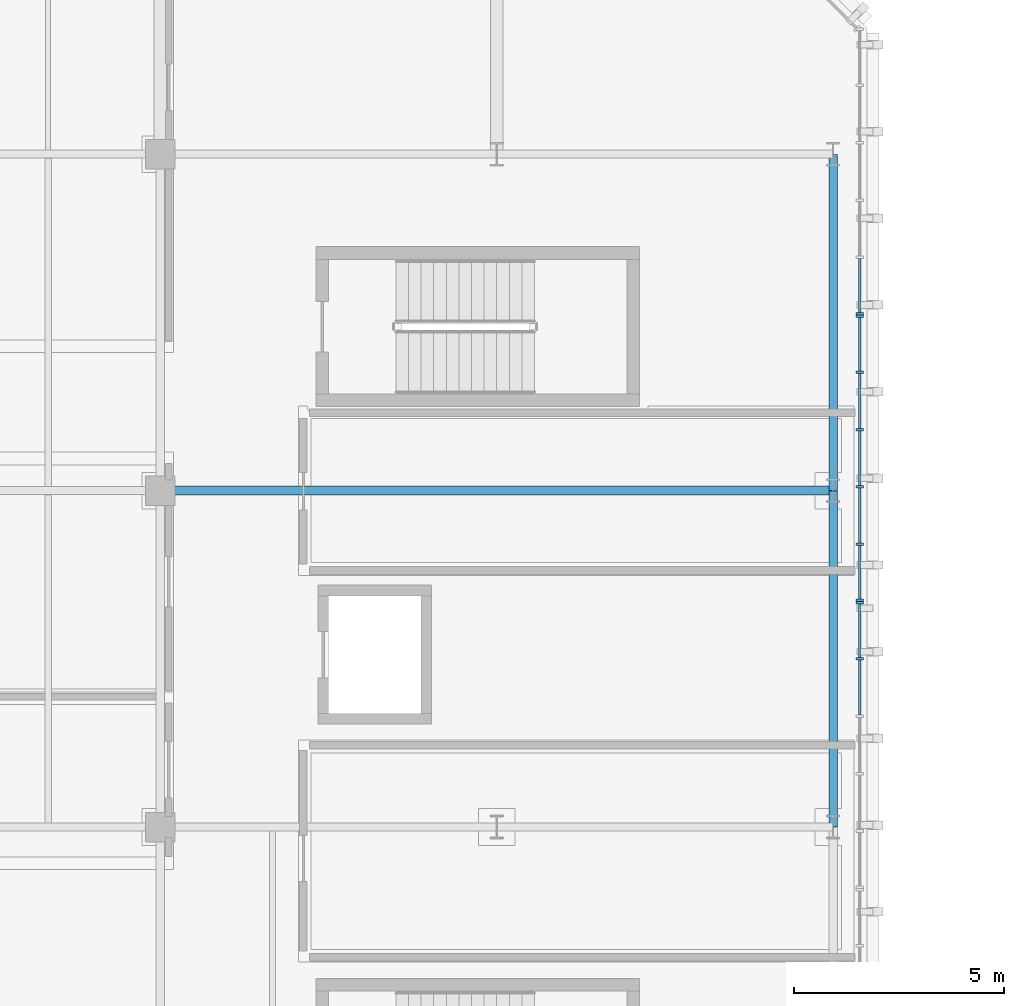
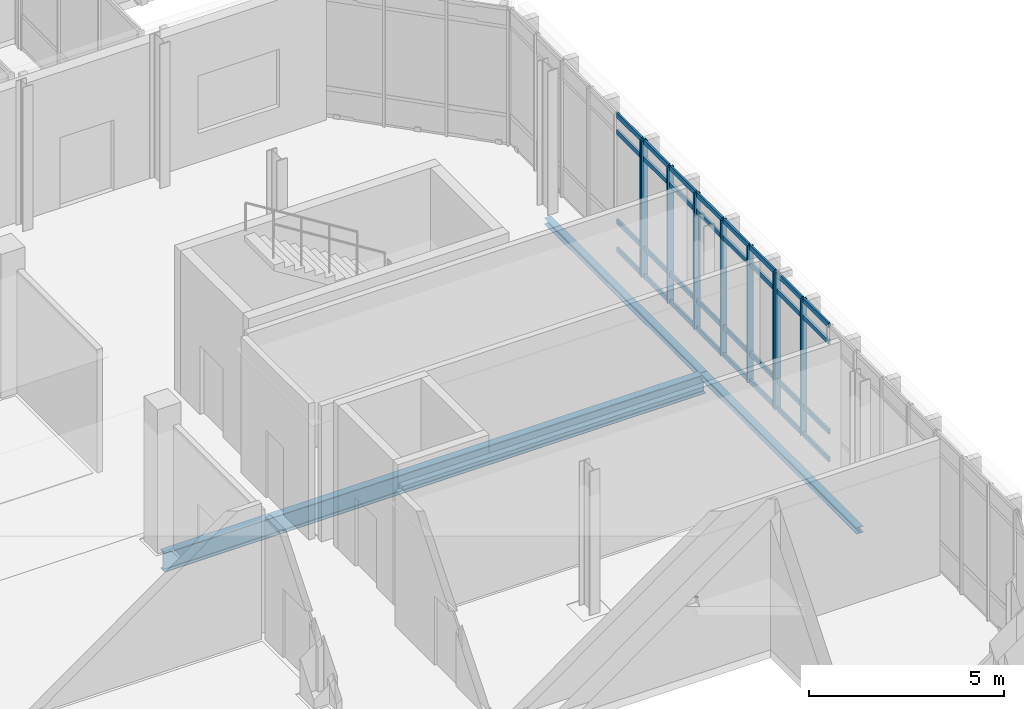
# One storey, part 24 of 100: 41 members, 3 beams, 3 elements without a shape of their own.
"""IFC4 building model written with IfcOpenShell, lengths in metres."""

from ifc_helpers import new_model, si_unit, direction, frame, origin, origin_2d, place, context, subcontext, project, spatial, rectangle, i_section, extrude, material, material_profile, profile_set, type_object, element, aggregate, save


model = new_model("IFC4")

# Units and contexts
model_context = context("Model", 3, precision=1e-05, world=origin(), true_north=direction((0.0, 1.0)))
body_context = subcontext(model_context, "Body", "Model", "MODEL_VIEW")
ifc_project = project(units=[si_unit("LENGTHUNIT", "METRE"), si_unit("AREAUNIT", "SQUARE_METRE"), si_unit("VOLUMEUNIT", "CUBIC_METRE"), si_unit("PLANEANGLEUNIT", "RADIAN"), si_unit("MASSUNIT", "GRAM", prefix="KILO")], contexts=[model_context])

# Site, building, storey
site_placement = place(None, origin())
site = spatial("IfcSite", under=ifc_project, at=site_placement, CompositionType="ELEMENT")
building_placement = place(site_placement, origin())
building = spatial("IfcBuilding", under=site, at=building_placement, Name="Cymarion Research Institute", CompositionType="ELEMENT")
storey_placement = place(building_placement, frame((0.0, 0.0, 4.800048828125)))
storey = spatial("IfcBuildingStorey", under=building, at=storey_placement, Name="L01", CompositionType="ELEMENT", Elevation=4.800048828125)

# Curtain wall, members
ifc_material_1 = material(Name="Anodised aluminium unitised curtain wall with Low-E glazing", Category="aluminium")
curtain_wall_type = type_object("IfcCurtainWallType", Name="UNITISED CURTAIN WALL CW20 6820X4250", PredefinedType="NOTDEFINED", material=ifc_material_1)
curtain_wall_1_placement = place(storey_placement, origin())
curtain_wall_1 = element("IfcCurtainWall", 1, at=curtain_wall_1_placement, inside=storey, type_object=curtain_wall_type, Name="L01 V4 unitised curtain wall CW20 #40", PredefinedType="NOTDEFINED")
ifc_material_2 = material(Name="Anodised aluminium framing", Category="aluminium")
ifc_material_profile_1 = material_profile(ifc_material_2, rectangle(XDim=0.06005859375, YDim=0.179931640625, at=origin_2d()), Name="ALU MULLION 60x180")
ifc_profile_set_1 = profile_set([ifc_material_profile_1], Name="Anodised aluminium framing")
member_type_1 = type_object("IfcMemberType", Name="CURTAIN WALL MULLION ML01 60X180", PredefinedType="MULLION", material=ifc_profile_set_1)
member_1_placement = place(storey_placement, frame((47.22998046875, 59.4970703125, 0.0), z_axis=(0.0, 0.0, 1.0), x_axis=(0.0, 1.0, 0.0)))
member_1 = element("IfcMember", 2, at=member_1_placement, type_object=member_type_1, Name="CW20 mullion 5", PredefinedType="MULLION", context=body_context, shape_type="SweptSolid", body=[
    extrude(rectangle(XDim=0.06005859375, YDim=0.179931640625, at=origin_2d()), origin(), (0.0, 0.0, 1.0), 4.25),
])
member_2_placement = place(storey_placement, frame((47.22998046875, 60.8310546875, 0.0), z_axis=(0.0, 0.0, 1.0), x_axis=(0.0, 1.0, 0.0)))
member_2 = element("IfcMember", 3, at=member_2_placement, type_object=member_type_1, Name="CW20 mullion 6", PredefinedType="MULLION", context=body_context, shape_type="SweptSolid", body=[
    extrude(rectangle(XDim=0.06005859375, YDim=0.179931640625, at=origin_2d()), origin(), (0.0, 0.0, 1.0), 4.25),
])

curtain_wall_2_placement = place(storey_placement, origin())
curtain_wall_2 = element("IfcCurtainWall", 4, at=curtain_wall_2_placement, inside=storey, type_object=curtain_wall_type, Name="L01 V4 unitised curtain wall CW20 #41", PredefinedType="NOTDEFINED")
member_3_placement = place(storey_placement, frame((47.22998046875, 60.89111328125, 0.0), z_axis=(0.0, 0.0, 1.0), x_axis=(0.0, 1.0, 0.0)))
member_3 = element("IfcMember", 5, at=member_3_placement, type_object=member_type_1, Name="CW20 mullion 1", PredefinedType="MULLION", context=body_context, shape_type="SweptSolid", body=[
    extrude(rectangle(XDim=0.06005859375, YDim=0.179931640625, at=origin_2d()), origin(), (0.0, 0.0, 1.0), 4.25),
])
member_4_placement = place(storey_placement, frame((47.22998046875, 62.224853515625, 0.0), z_axis=(0.0, 0.0, 1.0), x_axis=(0.0, 1.0, 0.0)))
member_4 = element("IfcMember", 6, at=member_4_placement, type_object=member_type_1, Name="CW20 mullion 2", PredefinedType="MULLION", context=body_context, shape_type="SweptSolid", body=[
    extrude(rectangle(XDim=0.06005859375, YDim=0.179931640625, at=origin_2d()), origin(), (0.0, 0.0, 1.0), 4.25),
])
member_5_placement = place(storey_placement, frame((47.22998046875, 63.5888671875, 0.0), z_axis=(0.0, 0.0, 1.0), x_axis=(0.0, 1.0, 0.0)))
member_5 = element("IfcMember", 7, at=member_5_placement, type_object=member_type_1, Name="CW20 mullion 3", PredefinedType="MULLION", context=body_context, shape_type="SweptSolid", body=[
    extrude(rectangle(XDim=0.06005859375, YDim=0.179931640625, at=origin_2d()), origin(), (0.0, 0.0, 1.0), 4.25),
])
member_6_placement = place(storey_placement, frame((47.22998046875, 64.95263671875, 0.0), z_axis=(0.0, 0.0, 1.0), x_axis=(0.0, 1.0, 0.0)))
member_6 = element("IfcMember", 8, at=member_6_placement, type_object=member_type_1, Name="CW20 mullion 4", PredefinedType="MULLION", context=body_context, shape_type="SweptSolid", body=[
    extrude(rectangle(XDim=0.06005859375, YDim=0.179931640625, at=origin_2d()), origin(), (0.0, 0.0, 1.0), 4.25),
])
member_7_placement = place(storey_placement, frame((47.22998046875, 66.316650390625, 0.0), z_axis=(0.0, 0.0, 1.0), x_axis=(0.0, 1.0, 0.0)))
member_7 = element("IfcMember", 9, at=member_7_placement, type_object=member_type_1, Name="CW20 mullion 5", PredefinedType="MULLION", context=body_context, shape_type="SweptSolid", body=[
    extrude(rectangle(XDim=0.06005859375, YDim=0.179931640625, at=origin_2d()), origin(), (0.0, 0.0, 1.0), 4.25),
])
member_8_placement = place(storey_placement, frame((47.22998046875, 67.650390625, 0.0), z_axis=(0.0, 0.0, 1.0), x_axis=(0.0, 1.0, 0.0)))
member_8 = element("IfcMember", 10, at=member_8_placement, type_object=member_type_1, Name="CW20 mullion 6", PredefinedType="MULLION", context=body_context, shape_type="SweptSolid", body=[
    extrude(rectangle(XDim=0.06005859375, YDim=0.179931640625, at=origin_2d()), origin(), (0.0, 0.0, 1.0), 4.25),
])

# Curtain wall, member
curtain_wall_3_placement = place(storey_placement, origin())
curtain_wall_3 = element("IfcCurtainWall", 11, at=curtain_wall_3_placement, inside=storey, type_object=curtain_wall_type, Name="L01 V4 unitised curtain wall CW20 #42", PredefinedType="NOTDEFINED")
member_9_placement = place(storey_placement, frame((47.22998046875, 67.71044921875, 0.0), z_axis=(0.0, 0.0, 1.0), x_axis=(0.0, 1.0, 0.0)))
member_9 = element("IfcMember", 12, at=member_9_placement, type_object=member_type_1, Name="CW20 mullion 1", PredefinedType="MULLION", context=body_context, shape_type="SweptSolid", body=[
    extrude(rectangle(XDim=0.06005859375, YDim=0.179931640625, at=origin_2d()), origin(), (0.0, 0.0, 1.0), 4.25),
])

# Member
ifc_material_profile_2 = material_profile(ifc_material_2, rectangle(XDim=0.06005859375, YDim=0.14990234375, at=origin_2d()), Name="ALU TRANSOM 60x150")
ifc_profile_set_2 = profile_set([ifc_material_profile_2], Name="Anodised aluminium framing")
member_type_2 = type_object("IfcMemberType", Name="CURTAIN WALL TRANSOM TR01 60X150", PredefinedType="USERDEFINED", material=ifc_profile_set_2)
member_10_placement = place(storey_placement, frame((47.22998046875, 58.1630859375, 0.030029296875), z_axis=(0.0, 1.0, 0.0), x_axis=(-1.0, 0.0, 0.0)))
member_10 = element("IfcMember", 13, at=member_10_placement, type_object=member_type_2, Name="CW20 transom 4.1", ObjectType="TRANSOM", PredefinedType="USERDEFINED", context=body_context, shape_type="SweptSolid", body=[
    extrude(rectangle(XDim=0.06005859375, YDim=0.14990234375, at=origin_2d()), origin(), (0.0, 0.0, 1.0), 1.303955078125),
])

member_11_placement = place(storey_placement, frame((47.22998046875, 58.1630859375, 0.89990234375), z_axis=(0.0, 1.0, 0.0), x_axis=(-1.0, 0.0, 0.0)))
member_11 = element("IfcMember", 14, at=member_11_placement, type_object=member_type_2, Name="CW20 transom 4.2", ObjectType="TRANSOM", PredefinedType="USERDEFINED", context=body_context, shape_type="SweptSolid", body=[
    extrude(rectangle(XDim=0.06005859375, YDim=0.14990234375, at=origin_2d()), origin(), (0.0, 0.0, 1.0), 1.303955078125),
])

member_12_placement = place(storey_placement, frame((47.22998046875, 58.1630859375, 3.699951171875), z_axis=(0.0, 1.0, 0.0), x_axis=(-1.0, 0.0, 0.0)))
member_12 = element("IfcMember", 15, at=member_12_placement, type_object=member_type_2, Name="CW20 transom 4.3", ObjectType="TRANSOM", PredefinedType="USERDEFINED", context=body_context, shape_type="SweptSolid", body=[
    extrude(rectangle(XDim=0.06005859375, YDim=0.14990234375, at=origin_2d()), origin(), (0.0, 0.0, 1.0), 1.303955078125),
])

member_13_placement = place(storey_placement, frame((47.22998046875, 58.1630859375, 4.219970703125), z_axis=(0.0, 1.0, 0.0), x_axis=(-1.0, 0.0, 0.0)))
member_13 = element("IfcMember", 16, at=member_13_placement, type_object=member_type_2, Name="CW20 transom 4.4", ObjectType="TRANSOM", PredefinedType="USERDEFINED", context=body_context, shape_type="SweptSolid", body=[
    extrude(rectangle(XDim=0.06005859375, YDim=0.14990234375, at=origin_2d()), origin(), (0.0, 0.0, 1.0), 1.303955078125),
])

member_14_placement = place(storey_placement, frame((47.22998046875, 59.527099609375, 0.030029296875), z_axis=(0.0, 1.0, 0.0), x_axis=(-1.0, 0.0, 0.0)))
member_14 = element("IfcMember", 17, at=member_14_placement, type_object=member_type_2, Name="CW20 transom 5.1", ObjectType="TRANSOM", PredefinedType="USERDEFINED", context=body_context, shape_type="SweptSolid", body=[
    extrude(rectangle(XDim=0.06005859375, YDim=0.14990234375, at=origin_2d()), origin(), (0.0, 0.0, 1.0), 1.27392578125),
])

member_15_placement = place(storey_placement, frame((47.22998046875, 59.527099609375, 0.89990234375), z_axis=(0.0, 1.0, 0.0), x_axis=(-1.0, 0.0, 0.0)))
member_15 = element("IfcMember", 18, at=member_15_placement, type_object=member_type_2, Name="CW20 transom 5.2", ObjectType="TRANSOM", PredefinedType="USERDEFINED", context=body_context, shape_type="SweptSolid", body=[
    extrude(rectangle(XDim=0.06005859375, YDim=0.14990234375, at=origin_2d()), origin(), (0.0, 0.0, 1.0), 1.27392578125),
])

member_16_placement = place(storey_placement, frame((47.22998046875, 59.527099609375, 3.699951171875), z_axis=(0.0, 1.0, 0.0), x_axis=(-1.0, 0.0, 0.0)))
member_16 = element("IfcMember", 19, at=member_16_placement, type_object=member_type_2, Name="CW20 transom 5.3", ObjectType="TRANSOM", PredefinedType="USERDEFINED", context=body_context, shape_type="SweptSolid", body=[
    extrude(rectangle(XDim=0.06005859375, YDim=0.14990234375, at=origin_2d()), origin(), (0.0, 0.0, 1.0), 1.27392578125),
])

member_17_placement = place(storey_placement, frame((47.22998046875, 59.527099609375, 4.219970703125), z_axis=(0.0, 1.0, 0.0), x_axis=(-1.0, 0.0, 0.0)))
member_17 = element("IfcMember", 20, at=member_17_placement, type_object=member_type_2, Name="CW20 transom 5.4", ObjectType="TRANSOM", PredefinedType="USERDEFINED", context=body_context, shape_type="SweptSolid", body=[
    extrude(rectangle(XDim=0.06005859375, YDim=0.14990234375, at=origin_2d()), origin(), (0.0, 0.0, 1.0), 1.27392578125),
])

aggregate(curtain_wall_1, [member_1, member_2, member_10, member_11, member_12, member_13, member_14, member_15, member_16, member_17])

member_18_placement = place(storey_placement, frame((47.22998046875, 60.9208984375, 0.030029296875), z_axis=(0.0, 1.0, 0.0), x_axis=(-1.0, 0.0, 0.0)))
member_18 = element("IfcMember", 21, at=member_18_placement, type_object=member_type_2, Name="CW20 transom 1.1", ObjectType="TRANSOM", PredefinedType="USERDEFINED", context=body_context, shape_type="SweptSolid", body=[
    extrude(rectangle(XDim=0.06005859375, YDim=0.14990234375, at=origin_2d()), origin(), (0.0, 0.0, 1.0), 1.27392578125),
])

member_19_placement = place(storey_placement, frame((47.22998046875, 60.9208984375, 0.89990234375), z_axis=(0.0, 1.0, 0.0), x_axis=(-1.0, 0.0, 0.0)))
member_19 = element("IfcMember", 22, at=member_19_placement, type_object=member_type_2, Name="CW20 transom 1.2", ObjectType="TRANSOM", PredefinedType="USERDEFINED", context=body_context, shape_type="SweptSolid", body=[
    extrude(rectangle(XDim=0.06005859375, YDim=0.14990234375, at=origin_2d()), origin(), (0.0, 0.0, 1.0), 1.27392578125),
])

member_20_placement = place(storey_placement, frame((47.22998046875, 60.9208984375, 3.699951171875), z_axis=(0.0, 1.0, 0.0), x_axis=(-1.0, 0.0, 0.0)))
member_20 = element("IfcMember", 23, at=member_20_placement, type_object=member_type_2, Name="CW20 transom 1.3", ObjectType="TRANSOM", PredefinedType="USERDEFINED", context=body_context, shape_type="SweptSolid", body=[
    extrude(rectangle(XDim=0.06005859375, YDim=0.14990234375, at=origin_2d()), origin(), (0.0, 0.0, 1.0), 1.27392578125),
])

member_21_placement = place(storey_placement, frame((47.22998046875, 60.9208984375, 4.219970703125), z_axis=(0.0, 1.0, 0.0), x_axis=(-1.0, 0.0, 0.0)))
member_21 = element("IfcMember", 24, at=member_21_placement, type_object=member_type_2, Name="CW20 transom 1.4", ObjectType="TRANSOM", PredefinedType="USERDEFINED", context=body_context, shape_type="SweptSolid", body=[
    extrude(rectangle(XDim=0.06005859375, YDim=0.14990234375, at=origin_2d()), origin(), (0.0, 0.0, 1.0), 1.27392578125),
])

member_22_placement = place(storey_placement, frame((47.22998046875, 62.2548828125, 0.030029296875), z_axis=(0.0, 1.0, 0.0), x_axis=(-1.0, 0.0, 0.0)))
member_22 = element("IfcMember", 25, at=member_22_placement, type_object=member_type_2, Name="CW20 transom 2.1", ObjectType="TRANSOM", PredefinedType="USERDEFINED", context=body_context, shape_type="SweptSolid", body=[
    extrude(rectangle(XDim=0.06005859375, YDim=0.14990234375, at=origin_2d()), origin(), (0.0, 0.0, 1.0), 1.303955078125),
])

member_23_placement = place(storey_placement, frame((47.22998046875, 62.2548828125, 0.89990234375), z_axis=(0.0, 1.0, 0.0), x_axis=(-1.0, 0.0, 0.0)))
member_23 = element("IfcMember", 26, at=member_23_placement, type_object=member_type_2, Name="CW20 transom 2.2", ObjectType="TRANSOM", PredefinedType="USERDEFINED", context=body_context, shape_type="SweptSolid", body=[
    extrude(rectangle(XDim=0.06005859375, YDim=0.14990234375, at=origin_2d()), origin(), (0.0, 0.0, 1.0), 1.303955078125),
])

member_24_placement = place(storey_placement, frame((47.22998046875, 62.2548828125, 3.699951171875), z_axis=(0.0, 1.0, 0.0), x_axis=(-1.0, 0.0, 0.0)))
member_24 = element("IfcMember", 27, at=member_24_placement, type_object=member_type_2, Name="CW20 transom 2.3", ObjectType="TRANSOM", PredefinedType="USERDEFINED", context=body_context, shape_type="SweptSolid", body=[
    extrude(rectangle(XDim=0.06005859375, YDim=0.14990234375, at=origin_2d()), origin(), (0.0, 0.0, 1.0), 1.303955078125),
])

member_25_placement = place(storey_placement, frame((47.22998046875, 62.2548828125, 4.219970703125), z_axis=(0.0, 1.0, 0.0), x_axis=(-1.0, 0.0, 0.0)))
member_25 = element("IfcMember", 28, at=member_25_placement, type_object=member_type_2, Name="CW20 transom 2.4", ObjectType="TRANSOM", PredefinedType="USERDEFINED", context=body_context, shape_type="SweptSolid", body=[
    extrude(rectangle(XDim=0.06005859375, YDim=0.14990234375, at=origin_2d()), origin(), (0.0, 0.0, 1.0), 1.303955078125),
])

member_26_placement = place(storey_placement, frame((47.22998046875, 63.618896484375, 0.030029296875), z_axis=(0.0, 1.0, 0.0), x_axis=(-1.0, 0.0, 0.0)))
member_26 = element("IfcMember", 29, at=member_26_placement, type_object=member_type_2, Name="CW20 transom 3.1", ObjectType="TRANSOM", PredefinedType="USERDEFINED", context=body_context, shape_type="SweptSolid", body=[
    extrude(rectangle(XDim=0.06005859375, YDim=0.14990234375, at=origin_2d()), origin(), (0.0, 0.0, 1.0), 1.3037109375),
])

member_27_placement = place(storey_placement, frame((47.22998046875, 63.618896484375, 0.89990234375), z_axis=(0.0, 1.0, 0.0), x_axis=(-1.0, 0.0, 0.0)))
member_27 = element("IfcMember", 30, at=member_27_placement, type_object=member_type_2, Name="CW20 transom 3.2", ObjectType="TRANSOM", PredefinedType="USERDEFINED", context=body_context, shape_type="SweptSolid", body=[
    extrude(rectangle(XDim=0.06005859375, YDim=0.14990234375, at=origin_2d()), origin(), (0.0, 0.0, 1.0), 1.3037109375),
])

member_28_placement = place(storey_placement, frame((47.22998046875, 63.618896484375, 3.699951171875), z_axis=(0.0, 1.0, 0.0), x_axis=(-1.0, 0.0, 0.0)))
member_28 = element("IfcMember", 31, at=member_28_placement, type_object=member_type_2, Name="CW20 transom 3.3", ObjectType="TRANSOM", PredefinedType="USERDEFINED", context=body_context, shape_type="SweptSolid", body=[
    extrude(rectangle(XDim=0.06005859375, YDim=0.14990234375, at=origin_2d()), origin(), (0.0, 0.0, 1.0), 1.3037109375),
])

member_29_placement = place(storey_placement, frame((47.22998046875, 63.618896484375, 4.219970703125), z_axis=(0.0, 1.0, 0.0), x_axis=(-1.0, 0.0, 0.0)))
member_29 = element("IfcMember", 32, at=member_29_placement, type_object=member_type_2, Name="CW20 transom 3.4", ObjectType="TRANSOM", PredefinedType="USERDEFINED", context=body_context, shape_type="SweptSolid", body=[
    extrude(rectangle(XDim=0.06005859375, YDim=0.14990234375, at=origin_2d()), origin(), (0.0, 0.0, 1.0), 1.3037109375),
])

member_30_placement = place(storey_placement, frame((47.22998046875, 64.982666015625, 0.030029296875), z_axis=(0.0, 1.0, 0.0), x_axis=(-1.0, 0.0, 0.0)))
member_30 = element("IfcMember", 33, at=member_30_placement, type_object=member_type_2, Name="CW20 transom 4.1", ObjectType="TRANSOM", PredefinedType="USERDEFINED", context=body_context, shape_type="SweptSolid", body=[
    extrude(rectangle(XDim=0.06005859375, YDim=0.14990234375, at=origin_2d()), origin(), (0.0, 0.0, 1.0), 1.303955078125),
])

member_31_placement = place(storey_placement, frame((47.22998046875, 64.982666015625, 0.89990234375), z_axis=(0.0, 1.0, 0.0), x_axis=(-1.0, 0.0, 0.0)))
member_31 = element("IfcMember", 34, at=member_31_placement, type_object=member_type_2, Name="CW20 transom 4.2", ObjectType="TRANSOM", PredefinedType="USERDEFINED", context=body_context, shape_type="SweptSolid", body=[
    extrude(rectangle(XDim=0.06005859375, YDim=0.14990234375, at=origin_2d()), origin(), (0.0, 0.0, 1.0), 1.303955078125),
])

member_32_placement = place(storey_placement, frame((47.22998046875, 64.982666015625, 3.699951171875), z_axis=(0.0, 1.0, 0.0), x_axis=(-1.0, 0.0, 0.0)))
member_32 = element("IfcMember", 35, at=member_32_placement, type_object=member_type_2, Name="CW20 transom 4.3", ObjectType="TRANSOM", PredefinedType="USERDEFINED", context=body_context, shape_type="SweptSolid", body=[
    extrude(rectangle(XDim=0.06005859375, YDim=0.14990234375, at=origin_2d()), origin(), (0.0, 0.0, 1.0), 1.303955078125),
])

member_33_placement = place(storey_placement, frame((47.22998046875, 64.982666015625, 4.219970703125), z_axis=(0.0, 1.0, 0.0), x_axis=(-1.0, 0.0, 0.0)))
member_33 = element("IfcMember", 36, at=member_33_placement, type_object=member_type_2, Name="CW20 transom 4.4", ObjectType="TRANSOM", PredefinedType="USERDEFINED", context=body_context, shape_type="SweptSolid", body=[
    extrude(rectangle(XDim=0.06005859375, YDim=0.14990234375, at=origin_2d()), origin(), (0.0, 0.0, 1.0), 1.303955078125),
])

member_34_placement = place(storey_placement, frame((47.22998046875, 66.3466796875, 0.030029296875), z_axis=(0.0, 1.0, 0.0), x_axis=(-1.0, 0.0, 0.0)))
member_34 = element("IfcMember", 37, at=member_34_placement, type_object=member_type_2, Name="CW20 transom 5.1", ObjectType="TRANSOM", PredefinedType="USERDEFINED", context=body_context, shape_type="SweptSolid", body=[
    extrude(rectangle(XDim=0.06005859375, YDim=0.14990234375, at=origin_2d()), origin(), (0.0, 0.0, 1.0), 1.27392578125),
])

member_35_placement = place(storey_placement, frame((47.22998046875, 66.3466796875, 0.89990234375), z_axis=(0.0, 1.0, 0.0), x_axis=(-1.0, 0.0, 0.0)))
member_35 = element("IfcMember", 38, at=member_35_placement, type_object=member_type_2, Name="CW20 transom 5.2", ObjectType="TRANSOM", PredefinedType="USERDEFINED", context=body_context, shape_type="SweptSolid", body=[
    extrude(rectangle(XDim=0.06005859375, YDim=0.14990234375, at=origin_2d()), origin(), (0.0, 0.0, 1.0), 1.27392578125),
])

member_36_placement = place(storey_placement, frame((47.22998046875, 66.3466796875, 3.699951171875), z_axis=(0.0, 1.0, 0.0), x_axis=(-1.0, 0.0, 0.0)))
member_36 = element("IfcMember", 39, at=member_36_placement, type_object=member_type_2, Name="CW20 transom 5.3", ObjectType="TRANSOM", PredefinedType="USERDEFINED", context=body_context, shape_type="SweptSolid", body=[
    extrude(rectangle(XDim=0.06005859375, YDim=0.14990234375, at=origin_2d()), origin(), (0.0, 0.0, 1.0), 1.27392578125),
])

member_37_placement = place(storey_placement, frame((47.22998046875, 66.3466796875, 4.219970703125), z_axis=(0.0, 1.0, 0.0), x_axis=(-1.0, 0.0, 0.0)))
member_37 = element("IfcMember", 40, at=member_37_placement, type_object=member_type_2, Name="CW20 transom 5.4", ObjectType="TRANSOM", PredefinedType="USERDEFINED", context=body_context, shape_type="SweptSolid", body=[
    extrude(rectangle(XDim=0.06005859375, YDim=0.14990234375, at=origin_2d()), origin(), (0.0, 0.0, 1.0), 1.27392578125),
])

aggregate(curtain_wall_2, [member_3, member_4, member_5, member_6, member_7, member_8, member_18, member_19, member_20, member_21, member_22, member_23, member_24, member_25, member_26, member_27, member_28, member_29, member_30, member_31, member_32, member_33, member_34, member_35, member_36, member_37])

member_38_placement = place(storey_placement, frame((47.22998046875, 67.740478515625, 0.030029296875), z_axis=(0.0, 1.0, 0.0), x_axis=(-1.0, 0.0, 0.0)))
member_38 = element("IfcMember", 41, at=member_38_placement, type_object=member_type_2, Name="CW20 transom 1.1", ObjectType="TRANSOM", PredefinedType="USERDEFINED", context=body_context, shape_type="SweptSolid", body=[
    extrude(rectangle(XDim=0.06005859375, YDim=0.14990234375, at=origin_2d()), origin(), (0.0, 0.0, 1.0), 1.27392578125),
])

member_39_placement = place(storey_placement, frame((47.22998046875, 67.740478515625, 0.89990234375), z_axis=(0.0, 1.0, 0.0), x_axis=(-1.0, 0.0, 0.0)))
member_39 = element("IfcMember", 42, at=member_39_placement, type_object=member_type_2, Name="CW20 transom 1.2", ObjectType="TRANSOM", PredefinedType="USERDEFINED", context=body_context, shape_type="SweptSolid", body=[
    extrude(rectangle(XDim=0.06005859375, YDim=0.14990234375, at=origin_2d()), origin(), (0.0, 0.0, 1.0), 1.27392578125),
])

member_40_placement = place(storey_placement, frame((47.22998046875, 67.740478515625, 3.699951171875), z_axis=(0.0, 1.0, 0.0), x_axis=(-1.0, 0.0, 0.0)))
member_40 = element("IfcMember", 43, at=member_40_placement, type_object=member_type_2, Name="CW20 transom 1.3", ObjectType="TRANSOM", PredefinedType="USERDEFINED", context=body_context, shape_type="SweptSolid", body=[
    extrude(rectangle(XDim=0.06005859375, YDim=0.14990234375, at=origin_2d()), origin(), (0.0, 0.0, 1.0), 1.27392578125),
])

member_41_placement = place(storey_placement, frame((47.22998046875, 67.740478515625, 4.219970703125), z_axis=(0.0, 1.0, 0.0), x_axis=(-1.0, 0.0, 0.0)))
member_41 = element("IfcMember", 44, at=member_41_placement, type_object=member_type_2, Name="CW20 transom 1.4", ObjectType="TRANSOM", PredefinedType="USERDEFINED", context=body_context, shape_type="SweptSolid", body=[
    extrude(rectangle(XDim=0.06005859375, YDim=0.14990234375, at=origin_2d()), origin(), (0.0, 0.0, 1.0), 1.27392578125),
])

aggregate(curtain_wall_3, [member_9, member_38, member_39, member_40, member_41])

# Beams
ifc_material_3 = material(Name="Steel S355", Category="steel")
ifc_material_profile_3 = material_profile(ifc_material_3, i_section(OverallWidth=0.219970703125, OverallDepth=0.60009765625, WebThickness=0.011962890625, FlangeThickness=0.01904296875, FilletRadius=0.02392578125, at=origin_2d()), Name="IPE 600")
ifc_profile_set_3 = profile_set([ifc_material_profile_3], Name="Steel S355")
beam_type_1 = type_object("IfcBeamType", Name="PRIMARY GIRDER BM01 IPE 600", PredefinedType="BEAM", material=ifc_profile_set_3)
beam_placement = place(storey_placement, frame((30.60595703125, 63.5, -0.550048828125), z_axis=(1.0, 0.0, 0.0), x_axis=(0.0, 1.0, 0.0)))
element("IfcBeam", 45, at=beam_placement, inside=storey, type_object=beam_type_1, Name="L01 V4 girder BM01 #635", PredefinedType="BEAM", context=body_context, shape_type="SweptSolid", body=[
    extrude(i_section(OverallWidth=0.219970703125, OverallDepth=0.60009765625, WebThickness=0.011962890625, FlangeThickness=0.01904296875, FilletRadius=0.02392578125, at=origin_2d()), origin(), (0.0, 0.0, 1.0), 15.988037109375),
])
ifc_material_profile_4 = material_profile(ifc_material_3, i_section(OverallWidth=0.199951171875, OverallDepth=0.18994140625, WebThickness=0.006591796875, FlangeThickness=0.010009765625, FilletRadius=0.01806640625, at=origin_2d()), Name="HEA 200")
ifc_profile_set_4 = profile_set([ifc_material_profile_4], Name="Steel S355")
beam_type_2 = type_object("IfcBeamType", Name="SPANDREL BEAM SPB04 HEA 200", PredefinedType="SPANDREL", material=ifc_profile_set_4)
for number, where, z_axis, x_axis, name in (
    (46, (46.60009765625, 55.506103515625, -0.344970703125), (0.0, 1.0, 0.0), (-1.0, 0.0, 0.0), "L01 V4 girder SPB04 #667"),
    (47, (46.60009765625, 63.506103515625, -0.344970703125), (0.0, 1.0, 0.0), (-1.0, 0.0, 0.0), "L01 V4 girder SPB04 #668"),
):
    element("IfcBeam", number, at=place(storey_placement, frame(where, z_axis=z_axis, x_axis=x_axis)), inside=storey, type_object=beam_type_2, Name=name, PredefinedType="SPANDREL", context=body_context, shape_type="SweptSolid", body=[
        extrude(i_section(OverallWidth=0.199951171875, OverallDepth=0.18994140625, WebThickness=0.006591796875, FlangeThickness=0.010009765625, FilletRadius=0.01806640625, at=origin_2d()), origin(), (0.0, 0.0, 1.0), 7.98779296875),
    ])

save(model, "model.ifc")
